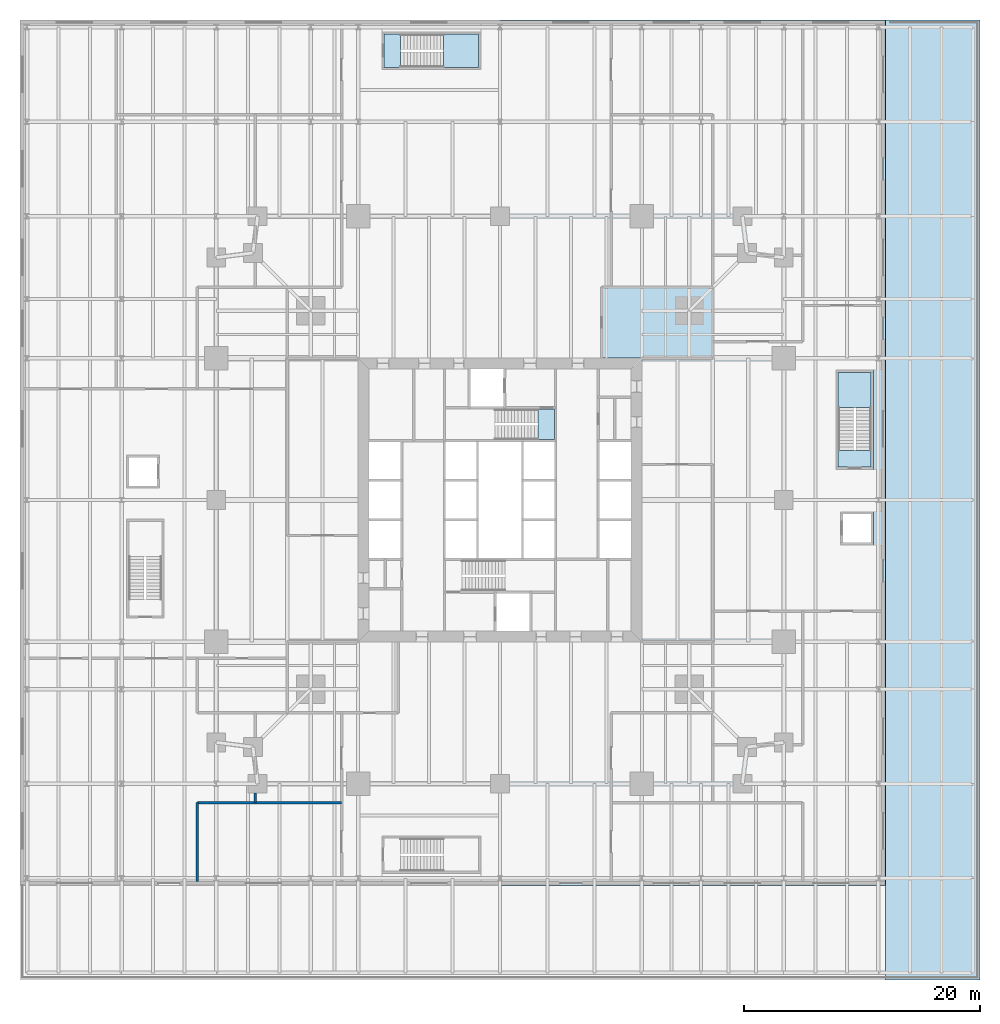
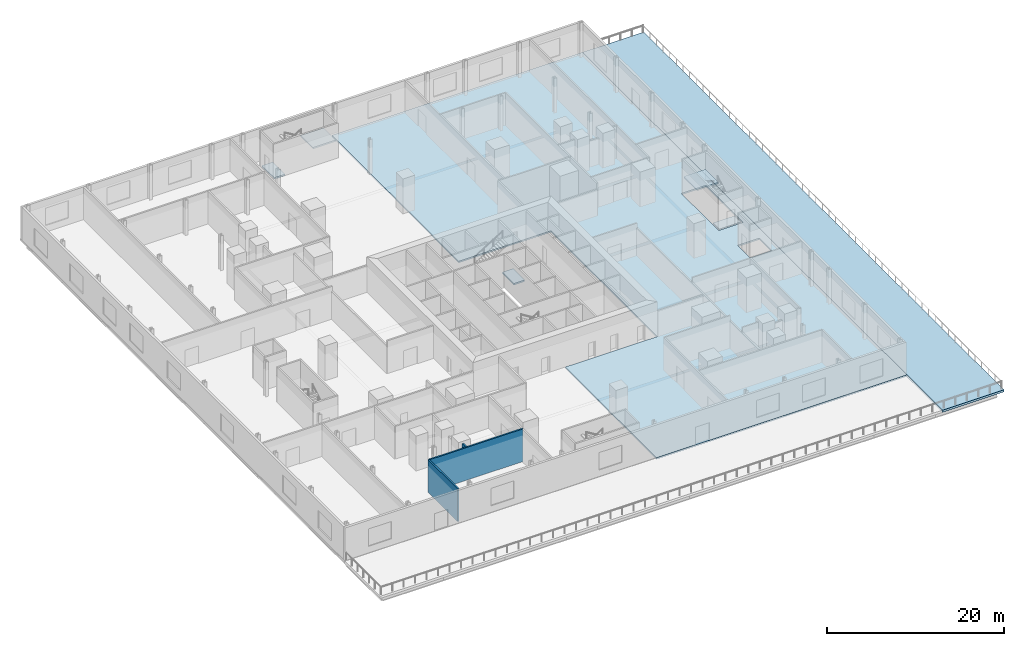
# One storey, part 9 of 18: 7 slabs, 3 walls, 3 elements without a shape of their own.
"""IFC4 building model written with IfcOpenShell, lengths in metres."""

import ifcopenshell
import ifcopenshell.guid

model = None  # the IFC model being written
_history = None  # IfcOwnerHistory: only IFC2X3 demands one
_inside = {}  # id of a spatial element -> (the spatial element, [elements in it])
_under = {}  # id of a project, library or spatial element -> (it, [spatial elements below it])
_declared = {}  # id of a project -> (the project, [libraries it declares])
_typed = {}  # id of a type object -> (the type object, [elements of that type])
_made_of = {}  # id of a material, layer set ... -> (it, [elements and type objects made of it])


def new_model(schema):
    """Start an empty IFC model of exactly this schema.

    Asked for "IFC4X3", IfcOpenShell would pick the latest addendum, in which some entities
    have other attributes; the version numbers below select the first issue.
    IFC2X3 requires an IfcOwnerHistory on every rooted entity: one is made here for all.
    """
    global model, _history
    if schema == "IFC4X3":
        model = ifcopenshell.file(schema_version=(4, 3, 0, 0))
    else:
        model = ifcopenshell.file(schema=schema)
    _inside.clear()
    _under.clear()
    _declared.clear()
    _typed.clear()
    _made_of.clear()
    _history = None
    if model.schema == "IFC2X3":
        org = make("IfcOrganization", Name="unknown")
        user = make(
            "IfcPersonAndOrganization",
            ThePerson=make("IfcPerson", FamilyName="unknown"),
            TheOrganization=org,
        )
        app = make(
            "IfcApplication",
            ApplicationDeveloper=org,
            Version="unknown",
            ApplicationFullName="unknown",
            ApplicationIdentifier="unknown",
        )
        _history = make(
            "IfcOwnerHistory",
            OwningUser=user,
            OwningApplication=app,
            ChangeAction="ADDED",
            CreationDate=0,
        )
    return model


def make(cls, **values):
    """One entity of the class cls with the attributes given. An attribute that is None is left unset."""
    return model.create_entity(
        cls, **{name: value for name, value in values.items() if value is not None}
    )


def rooted(cls, **values):
    """An entity with a GlobalId (a new one), such as an element, a storey or a relation."""
    return make(cls, GlobalId=ifcopenshell.guid.new(), OwnerHistory=_history, **values)


def si_unit(unit_type, name, prefix=None):
    """IfcSIUnit, for example si_unit("LENGTHUNIT", "METRE", prefix="MILLI")."""
    return make("IfcSIUnit", UnitType=unit_type, Prefix=prefix, Name=name)


def assignment(units):
    """IfcUnitAssignment: the units of a project."""
    return None if units is None else make("IfcUnitAssignment", Units=units)


def point(xyz):
    """IfcCartesianPoint."""
    return None if xyz is None else make("IfcCartesianPoint", Coordinates=xyz)


def direction(xyz):
    """IfcDirection."""
    return None if xyz is None else make("IfcDirection", DirectionRatios=xyz)


def frame(location, z_axis=None, x_axis=None):
    """IfcAxis2Placement3D, a coordinate frame: its origin and axes. An axis left out is left unset."""
    return make(
        "IfcAxis2Placement3D",
        Location=point(location),
        Axis=direction(z_axis),
        RefDirection=direction(x_axis),
    )


def frame_2d(location, x_axis=None):
    """IfcAxis2Placement2D, a coordinate frame in the plane: its origin and x axis."""
    return make(
        "IfcAxis2Placement2D", Location=point(location), RefDirection=direction(x_axis)
    )


def origin():
    """The frame at (0, 0, 0) with its axes left unset."""
    return frame((0.0, 0.0, 0.0))


def place(relative_to, where):
    """IfcLocalPlacement: puts the frame where relative to a parent placement (None: the world)."""
    return make(
        "IfcLocalPlacement", PlacementRelTo=relative_to, RelativePlacement=where
    )


def context(
    kind, dimensions, precision=None, world=None, true_north=None, identifier=None
):
    """IfcGeometricRepresentationContext, for example the 3D "Model" context."""
    return make(
        "IfcGeometricRepresentationContext",
        ContextIdentifier=identifier,
        ContextType=kind,
        CoordinateSpaceDimension=dimensions,
        Precision=precision,
        WorldCoordinateSystem=world,
        TrueNorth=true_north,
    )


def subcontext(parent, identifier, kind, view, scale=None):
    """IfcGeometricRepresentationSubContext, for example "Body" below "Model"."""
    return make(
        "IfcGeometricRepresentationSubContext",
        ContextIdentifier=identifier,
        ContextType=kind,
        ParentContext=parent,
        TargetScale=scale,
        TargetView=view,
    )


def project(units=None, contexts=None):
    """IfcProject with its units and contexts."""
    return rooted(
        "IfcProject",
        Name="project",
        RepresentationContexts=contexts,
        UnitsInContext=assignment(units),
    )


def spatial(cls, under=None, at=None, **own):
    """A site, building, storey or space (cls), placed at a placement, below another one or the project."""
    s = rooted(cls, ObjectPlacement=at, **own)
    if under is not None:
        _under.setdefault(under.id(), (under, []))[1].append(s)
    return s


def polyline(points):
    """IfcPolyline through the points."""
    return make("IfcPolyline", Points=[point(p) for p in points])


def profile(cls, at=None, kind="AREA", **sizes):
    """A parametric profile (cls). Its sizes go by their IFC names, for example OverallWidth=200.0."""
    return make(cls, ProfileType=kind, Position=at, **sizes)


def rectangle(**sizes):
    """IfcRectangleProfileDef."""
    return profile("IfcRectangleProfileDef", **sizes)


def outline(outer, holes=None, kind="AREA"):
    """IfcArbitraryClosedProfileDef: a profile drawn as a closed curve; with holes, ...WithVoids."""
    if holes is None:
        return make("IfcArbitraryClosedProfileDef", ProfileType=kind, OuterCurve=outer)
    return make(
        "IfcArbitraryProfileDefWithVoids",
        ProfileType=kind,
        OuterCurve=outer,
        InnerCurves=holes,
    )


def extrude(swept, where, along, depth):
    """IfcExtrudedAreaSolid: the profile swept, set in the frame where, extruded along a direction by depth."""
    return make(
        "IfcExtrudedAreaSolid",
        SweptArea=swept,
        Position=where,
        ExtrudedDirection=direction(along),
        Depth=depth,
    )


def shape(context_of_items, identifier, shape_type, items):
    """IfcShapeRepresentation: the items that make up one representation, for example the "Body"."""
    return make(
        "IfcShapeRepresentation",
        ContextOfItems=context_of_items,
        RepresentationIdentifier=identifier,
        RepresentationType=shape_type,
        Items=items,
    )


def material(Name=None, Category=None):
    """IfcMaterial."""
    return make("IfcMaterial", Name=Name, Category=Category)


def layer(
    of_material, thickness, ventilated=None, Name=None, Category=None, Priority=None
):
    """IfcMaterialLayer: one layer of a wall or slab, of a material (None: an air gap)."""
    return make(
        "IfcMaterialLayer",
        Material=of_material,
        LayerThickness=thickness,
        IsVentilated=ventilated,
        Name=Name,
        Category=Category,
        Priority=Priority,
    )


def layer_set(layers, Name=None):
    """IfcMaterialLayerSet."""
    return make("IfcMaterialLayerSet", MaterialLayers=layers, LayerSetName=Name)


def made_of(thing, what):
    """Note that an element or type object is made of a material, layer set ...; save() writes the relation."""
    if what is not None:
        _made_of.setdefault(what.id(), (what, []))[1].append(thing)
    return thing


def type_object(cls, material=None, **own):
    """A type object (cls), such as IfcWallType, which elements share."""
    return made_of(rooted(cls, **own), material)


def element(
    cls,
    number,
    at=None,
    inside=None,
    cuts=None,
    type_object=None,
    material=None,
    context=None,
    identifier="Body",
    shape_type=None,
    held_by="IfcProductDefinitionShape",
    body=None,
    shapes=None,
    **own,
):
    """One element of the class cls, such as IfcWall. Its Tag is "e" and its number.

    at: its placement. inside: the storey or other place that contains it. cuts: it is an
    opening in that element (IfcRelVoidsElement). A single representation is given by context,
    identifier, shape_type and body (its items); several are given by shapes. held_by: the class
    of the entity that holds the representations. save() writes the other relations.
    """
    e = rooted(cls, Tag="e%d" % number, ObjectPlacement=at, **own)
    if body is not None:
        shapes = [shape(context, identifier, shape_type, body)]
    if shapes is not None:
        e.Representation = make(held_by, Representations=shapes)
    if inside is not None:
        _inside.setdefault(inside.id(), (inside, []))[1].append(e)
    if cuts is not None:
        rooted(
            "IfcRelVoidsElement", RelatingBuildingElement=cuts, RelatedOpeningElement=e
        )
    if type_object is not None:
        _typed.setdefault(type_object.id(), (type_object, []))[1].append(e)
    return made_of(e, material)


def aggregate(whole, parts):
    """IfcRelAggregates: a whole, such as a stair, and the parts it consists of."""
    return rooted("IfcRelAggregates", RelatingObject=whole, RelatedObjects=parts)


def save(model, path):
    """Write the relations noted so far, then the file.

    IfcRelAggregates (storeys below a building ...), IfcRelContainedInSpatialStructure (elements
    in a storey), IfcRelDefinesByType, IfcRelAssociatesMaterial and IfcRelDeclares: one each for
    every whole, place, type object, material and project.
    """
    for whole, parts in _under.values():
        aggregate(whole, parts)
    for where, things in _inside.values():
        rooted(
            "IfcRelContainedInSpatialStructure",
            RelatedElements=things,
            RelatingStructure=where,
        )
    for kind, things in _typed.values():
        rooted("IfcRelDefinesByType", RelatedObjects=things, RelatingType=kind)
    for what, things in _made_of.values():
        rooted("IfcRelAssociatesMaterial", RelatedObjects=things, RelatingMaterial=what)
    for by, libraries in _declared.values():
        rooted("IfcRelDeclares", RelatingContext=by, RelatedDefinitions=libraries)
    model.write(path)


model = new_model("IFC4")

# Units and contexts
model_context = context("Model", 3, precision=1e-05, world=origin(), true_north=direction((0.0, 1.0)))
body_context = subcontext(model_context, "Body", "Model", "MODEL_VIEW")
ifc_project = project(units=[si_unit("LENGTHUNIT", "METRE"), si_unit("AREAUNIT", "SQUARE_METRE"), si_unit("VOLUMEUNIT", "CUBIC_METRE"), si_unit("PLANEANGLEUNIT", "RADIAN"), si_unit("MASSUNIT", "GRAM", prefix="KILO")], contexts=[model_context])

# Site, building, storey
site_placement = place(None, origin())
site = spatial("IfcSite", under=ifc_project, at=site_placement, CompositionType="ELEMENT")
building_placement = place(site_placement, origin())
building = spatial("IfcBuilding", under=site, at=building_placement, Name="Fenwick Lantern Interchange", CompositionType="ELEMENT")
storey_placement = place(building_placement, frame((0.0, 0.0, 11.800048828125)))
storey = spatial("IfcBuildingStorey", under=building, at=storey_placement, Name="L02", CompositionType="ELEMENT", Elevation=11.800048828125)

# Slab
ifc_material_1 = material(Name="Concrete f'c 35 MPa", Category="concrete")
ifc_layer_1 = layer(ifc_material_1, 0.199951171875)
ifc_layer_set_1 = layer_set([ifc_layer_1], Name="Concrete f'c 35 MPa")
slab_type_1 = type_object("IfcSlabType", Name="FLOOR SLAB 200", PredefinedType="FLOOR", material=ifc_layer_set_1)
slab_1_placement = place(storey_placement, frame((0.0, 0.0, -0.199951171875)))
element("IfcSlab", 1, at=slab_1_placement, inside=storey, type_object=slab_type_1, Name="L02/SLAB/FE", PredefinedType="FLOOR", context=body_context, shape_type="SweptSolid", body=[
    extrude(outline(polyline([(57.60009765625, 65.60009765625), (57.60009765625, -7.60009765625), (25.0, -7.60009765625), (25.0, 13.0), (37.0, 13.0), (37.0, 37.0), (25.0, 37.0), (25.0, 65.60009765625), (57.60009765625, 65.60009765625)]), holes=[polyline([(56.60009765625, 27.60009765625), (56.60009765625, 36.0), (53.39990234375, 36.0), (53.39990234375, 27.60009765625), (56.60009765625, 27.60009765625)]), polyline([(56.60009765625, 21.199951171875), (56.60009765625, 24.0), (53.800048828125, 24.0), (53.800048828125, 21.199951171875), (56.60009765625, 21.199951171875)])]), origin(), (0.0, 0.0, 1.0), 0.199951171875),
])

# Stair, slab
ifc_material_2 = material(Name="Precast concrete f'c 35 MPa", Category="concrete")
stair_type_1 = type_object("IfcStairType", Name="EXIT STAIR 1200", PredefinedType="HALF_TURN_STAIR", material=ifc_material_2)
stair_1_placement = place(storey_placement, origin())
stair_1 = element("IfcStair", 2, at=stair_1_placement, inside=storey, type_object=stair_type_1, Name="Exit stair ST2", PredefinedType="HALF_TURN_STAIR")
ifc_material_3 = material(Name="Concrete f'c 35 MPa", Category="concrete")
ifc_layer_2 = layer(ifc_material_3, 0.199951171875)
ifc_layer_set_2 = layer_set([ifc_layer_2], Name="STAIR LANDING 200")
slab_type_2 = type_object("IfcSlabType", Name="STAIR LANDING 200", PredefinedType="LANDING", material=ifc_layer_set_2)
slab_2_placement = place(storey_placement, frame((0.0, 0.0, -0.199951171875)))
slab_2 = element("IfcSlab", 3, at=slab_2_placement, type_object=slab_type_2, Name="ST2 landing 2", PredefinedType="LANDING", context=body_context, shape_type="SweptSolid", body=[
    extrude(outline(polyline([(29.60009765625, 32.699951171875), (28.199951171875, 32.699951171875), (28.199951171875, 30.10009765625), (29.60009765625, 30.10009765625), (29.60009765625, 32.699951171875)])), origin(), (0.0, 0.0, 1.0), 0.199951171875),
])
aggregate(stair_1, [slab_2])

# Stair, slabs
stair_type_2 = type_object("IfcStairType", Name="EXIT STAIR 1300", PredefinedType="HALF_TURN_STAIR", material=ifc_material_2)
stair_2_placement = place(storey_placement, origin())
stair_2 = element("IfcStair", 4, at=stair_2_placement, inside=storey, type_object=stair_type_2, Name="Exit stair PS1", PredefinedType="HALF_TURN_STAIR")
slab_3_placement = place(storey_placement, frame((0.0, 0.0, 2.199951171875)))
slab_3 = element("IfcSlab", 5, at=slab_3_placement, type_object=slab_type_2, Name="PS1 landing 1", PredefinedType="LANDING", context=body_context, shape_type="SweptSolid", body=[
    extrude(outline(polyline([(20.239990234375, 61.60009765625), (23.199951171875, 61.60009765625), (23.199951171875, 64.39990234375), (20.239990234375, 64.39990234375), (20.239990234375, 61.60009765625)])), origin(), (0.0, 0.0, 1.0), 0.199951171875),
])
slab_4_placement = place(storey_placement, frame((0.0, 0.0, -0.199951171875)))
slab_4 = element("IfcSlab", 6, at=slab_4_placement, type_object=slab_type_2, Name="PS1 landing 2", PredefinedType="LANDING", context=body_context, shape_type="SweptSolid", body=[
    extrude(outline(polyline([(15.199951171875, 61.60009765625), (16.60009765625, 61.60009765625), (16.60009765625, 64.39990234375), (15.199951171875, 64.39990234375), (15.199951171875, 61.60009765625)])), origin(), (0.0, 0.0, 1.0), 0.199951171875),
])
aggregate(stair_2, [slab_3, slab_4])

stair_3_placement = place(storey_placement, origin())
stair_3 = element("IfcStair", 7, at=stair_3_placement, inside=storey, type_object=stair_type_2, Name="Exit stair PS4", PredefinedType="HALF_TURN_STAIR")
slab_5_placement = place(storey_placement, frame((0.0, 0.0, 2.199951171875)))
slab_5 = element("IfcSlab", 8, at=slab_5_placement, type_object=slab_type_2, Name="PS4 landing 1", PredefinedType="LANDING", context=body_context, shape_type="SweptSolid", body=[
    extrude(outline(polyline([(53.60009765625, 32.840087890625), (56.39990234375, 32.840087890625), (56.39990234375, 35.800048828125), (53.60009765625, 35.800048828125), (53.60009765625, 32.840087890625)])), origin(), (0.0, 0.0, 1.0), 0.199951171875),
])
slab_6_placement = place(storey_placement, frame((0.0, 0.0, -0.199951171875)))
slab_6 = element("IfcSlab", 9, at=slab_6_placement, type_object=slab_type_2, Name="PS4 landing 2", PredefinedType="LANDING", context=body_context, shape_type="SweptSolid", body=[
    extrude(outline(polyline([(53.60009765625, 27.800048828125), (56.39990234375, 27.800048828125), (56.39990234375, 29.199951171875), (53.60009765625, 29.199951171875), (53.60009765625, 27.800048828125)])), origin(), (0.0, 0.0, 1.0), 0.199951171875),
])
aggregate(stair_3, [slab_5, slab_6])

# Slab
ifc_layer_3 = layer(ifc_material_1, 0.300048828125)
ifc_layer_set_3 = layer_set([ifc_layer_3], Name="Concrete f'c 35 MPa")
slab_type_3 = type_object("IfcSlabType", Name="TERRACE SLAB 300", PredefinedType="FLOOR", material=ifc_layer_set_3)
slab_7_placement = place(storey_placement, frame((0.0, 0.0, -0.300048828125)))
element("IfcSlab", 10, at=slab_7_placement, inside=storey, type_object=slab_type_3, Name="L02/SLAB/T2", PredefinedType="FLOOR", context=body_context, shape_type="SweptSolid", body=[
    extrude(outline(polyline([(57.60009765625, 65.60009765625), (65.60009765625, 65.60009765625), (65.60009765625, -15.60009765625), (57.60009765625, -15.60009765625), (57.60009765625, -7.60009765625), (57.60009765625, 65.60009765625)])), origin(), (0.0, 0.0, 1.0), 0.300048828125),
])

# Walls
ifc_material_4 = material(Name="Gypsum board on steel studs, 1 hour", Category="steel")
ifc_layer_4 = layer(ifc_material_4, 0.199951171875)
ifc_layer_set_4 = layer_set([ifc_layer_4], Name="ROOM WALL 200")
wall_type = type_object("IfcWallType", Name="ROOM WALL 200", PredefinedType="PARTITIONING", material=ifc_layer_set_4)
wall_1_placement = place(storey_placement, frame((-0.60009765625, -7.25, 0.0), z_axis=(0.0, 0.0, 1.0), x_axis=(0.0, 1.0, 0.0)))
element("IfcWall", 11, at=wall_1_placement, inside=storey, type_object=wall_type, Name="L02/W/POD/X-0.6-1", PredefinedType="PARTITIONING", context=body_context, shape_type="SweptSolid", body=[
    extrude(rectangle(XDim=6.64990234375, YDim=0.199951171875, at=frame_2d((3.324951171875, 0.0))), origin(), (0.0, 0.0, 1.0), 4.5),
])
wall_2_placement = place(storey_placement, frame((4.300048828125, -0.60009765625, 0.0), z_axis=(0.0, 0.0, 1.0), x_axis=(0.0, 1.0, 0.0)))
element("IfcWall", 12, at=wall_2_placement, inside=storey, type_object=wall_type, Name="L02/W/POD/X4.3-1", PredefinedType="PARTITIONING", context=body_context, shape_type="SweptSolid", body=[
    extrude(rectangle(XDim=0.800048828125, YDim=0.199951171875, at=frame_2d((0.39990234375, 0.0))), origin(), (0.0, 0.0, 1.0), 4.5),
])
wall_3_placement = place(storey_placement, frame((-0.60009765625, -0.60009765625, 0.0), z_axis=(0.0, 0.0, 1.0), x_axis=(1.0, 0.0, 0.0)))
element("IfcWall", 13, at=wall_3_placement, inside=storey, type_object=wall_type, Name="L02/W/POD/Y-0.6-1", PredefinedType="PARTITIONING", context=body_context, shape_type="SweptSolid", body=[
    extrude(rectangle(XDim=12.2001953125, YDim=0.199951171875, at=frame_2d((6.10009765625, 0.0))), origin(), (0.0, 0.0, 1.0), 4.5),
])

save(model, "model.ifc")
